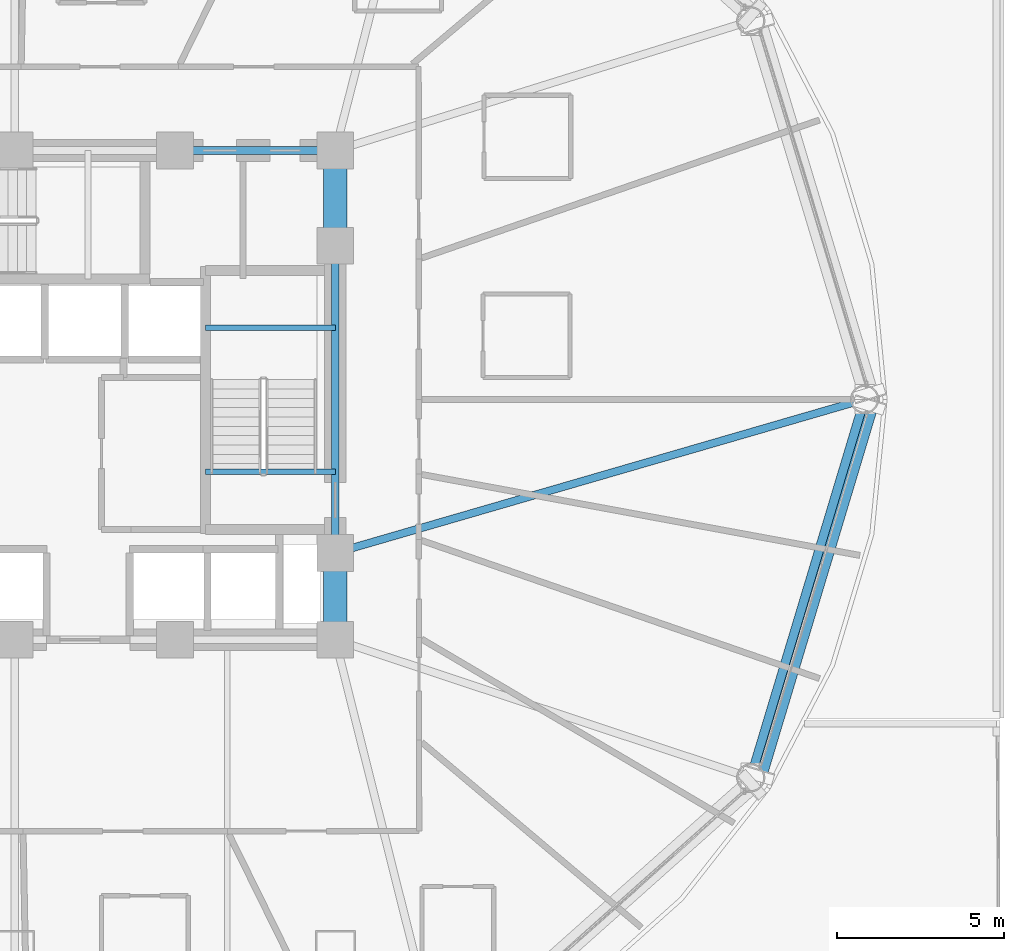
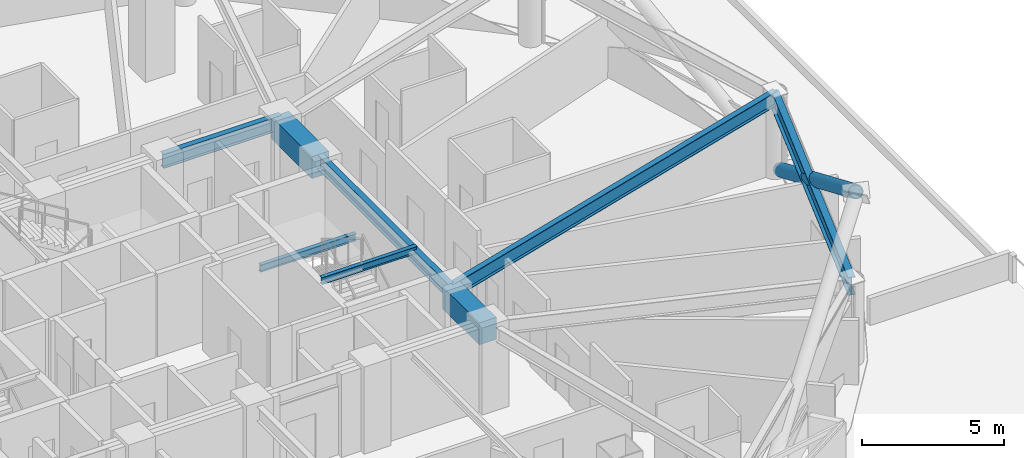
# One storey, part 10 of 27: 8 beams, 1 member.
"""IFC4 building model written with IfcOpenShell, lengths in metres."""

from ifc_helpers import new_model, si_unit, direction, frame, origin, origin_2d, place, context, subcontext, project, spatial, rectangle, hollow_circle, i_section, extrude, material, material_profile, profile_set, type_object, element, save


model = new_model("IFC4")

# Units and contexts
model_context = context("Model", 3, precision=1e-05, world=origin(), true_north=direction((0.0, 1.0)))
body_context = subcontext(model_context, "Body", "Model", "MODEL_VIEW")
ifc_project = project(units=[si_unit("LENGTHUNIT", "METRE"), si_unit("AREAUNIT", "SQUARE_METRE"), si_unit("VOLUMEUNIT", "CUBIC_METRE"), si_unit("PLANEANGLEUNIT", "RADIAN"), si_unit("MASSUNIT", "GRAM", prefix="KILO")], contexts=[model_context])

# Site, building, storey
site_placement = place(None, origin())
site = spatial("IfcSite", under=ifc_project, at=site_placement, CompositionType="ELEMENT")
building_placement = place(site_placement, origin())
building = spatial("IfcBuilding", under=site, at=building_placement, Name="Vantalir Tower", CompositionType="ELEMENT")
storey_placement = place(building_placement, frame((0.0, 0.0, 27.0)))
storey = spatial("IfcBuildingStorey", under=building, at=storey_placement, Name="L05", CompositionType="ELEMENT", Elevation=27.0)

# Beams
ifc_material_1 = material(Name="Concrete C60/75", Category="concrete")
ifc_material_profile_1 = material_profile(ifc_material_1, rectangle(XDim=0.699951171875, YDim=0.949951171875, at=origin_2d()), Name="Concrete C60/75")
ifc_profile_set_1 = profile_set([ifc_material_profile_1], Name="Concrete C60/75")
beam_type_1 = type_object("IfcBeamType", Name="BM-CB-700x950", PredefinedType="USERDEFINED", material=ifc_profile_set_1)
beam_1_placement = place(storey_placement, frame((41.10009765625, 17.800048828125, 3.094970703125), z_axis=(0.0, 1.0, 0.0), x_axis=(-1.0, 0.0, 0.0)))
element("IfcBeam", 1, at=beam_1_placement, inside=storey, type_object=beam_type_1, Name="L05 Core Coupling Girder 05", ObjectType="GIRDER", PredefinedType="USERDEFINED", context=body_context, shape_type="SweptSolid", body=[
    extrude(rectangle(XDim=0.699951171875, YDim=0.949951171875, at=origin_2d()), origin(), (0.0, 0.0, 1.0), 2.599853515625),
])
beam_2_placement = place(storey_placement, frame((41.10009765625, 29.60009765625, 3.094970703125), z_axis=(0.0, 1.0, 0.0), x_axis=(-1.0, 0.0, 0.0)))
element("IfcBeam", 2, at=beam_2_placement, inside=storey, type_object=beam_type_1, Name="L05 Core Coupling Girder 07", ObjectType="GIRDER", PredefinedType="USERDEFINED", context=body_context, shape_type="SweptSolid", body=[
    extrude(rectangle(XDim=0.699951171875, YDim=0.949951171875, at=origin_2d()), origin(), (0.0, 0.0, 1.0), 2.849853515625),
])
ifc_material_2 = material(Name="Steel S355", Category="steel")
ifc_material_profile_2 = material_profile(ifc_material_2, i_section(OverallWidth=0.166015625, OverallDepth=0.306884765625, WebThickness=0.006591796875, FlangeThickness=0.01171875, at=origin_2d()), Name="Steel S355")
ifc_profile_set_2 = profile_set([ifc_material_profile_2], Name="Steel S355")
beam_type_2 = type_object("IfcBeamType", Name="BM-JS-305x165", PredefinedType="JOIST", material=ifc_profile_set_2)
for number, where, z_axis, x_axis, name in (
    (3, (37.2099609375, 22.8349609375, 3.595947265625), (1.0, 0.0, 0.0), (0.0, 1.0, 0.0), "L06 Stair ST2 Well Nosing Trimmer Beam"),
    (4, (37.2099609375, 27.14501953125, 1.52197265625), (1.0, 0.0, 0.0), (0.0, 1.0, 0.0), "L05 Stair ST2 Half-Landing Support Beam"),
):
    element("IfcBeam", number, at=place(storey_placement, frame(where, z_axis=z_axis, x_axis=x_axis)), inside=storey, type_object=beam_type_2, Name=name, PredefinedType="JOIST", context=body_context, shape_type="SweptSolid", body=[
        extrude(i_section(OverallWidth=0.166015625, OverallDepth=0.306884765625, WebThickness=0.006591796875, FlangeThickness=0.01171875, at=origin_2d()), origin(), (0.0, 0.0, 1.0), 3.89013671875),
    ])
ifc_material_profile_3 = material_profile(ifc_material_2, i_section(OverallWidth=0.22998046875, OverallDepth=0.616943359375, WebThickness=0.01318359375, FlangeThickness=0.022216796875, at=origin_2d()), Name="Steel S355")
ifc_profile_set_3 = profile_set([ifc_material_profile_3], Name="Steel S355")
beam_type_3 = type_object("IfcBeamType", Name="BM-RB-610x229", PredefinedType="BEAM", material=ifc_profile_set_3)
beam_3_placement = place(storey_placement, frame((41.10009765625, 20.39990234375, 3.261962890625), z_axis=(0.0, 1.0, 0.0), x_axis=(-1.0, 0.0, 0.0)))
element("IfcBeam", 5, at=beam_3_placement, inside=storey, type_object=beam_type_3, Name="L05 Core Coupling Girder 06", PredefinedType="BEAM", context=body_context, shape_type="SweptSolid", body=[
    extrude(i_section(OverallWidth=0.22998046875, OverallDepth=0.616943359375, WebThickness=0.01318359375, FlangeThickness=0.022216796875, at=origin_2d()), origin(), (0.0, 0.0, 1.0), 9.2001953125),
])
beam_4_placement = place(storey_placement, frame((41.10009765625, 32.449951171875, 3.261962890625), z_axis=(-1.0, 0.0, 0.0), x_axis=(0.0, -1.0, 0.0)))
element("IfcBeam", 6, at=beam_4_placement, inside=storey, type_object=beam_type_3, Name="L05 Core Coupling Girder 08", PredefinedType="BEAM", context=body_context, shape_type="SweptSolid", body=[
    extrude(i_section(OverallWidth=0.22998046875, OverallDepth=0.616943359375, WebThickness=0.01318359375, FlangeThickness=0.022216796875, at=origin_2d()), origin(), (0.0, 0.0, 1.0), 4.800048828125),
])
beam_5_placement = place(storey_placement, frame((56.949951171875, 25.0, 3.261962890625), z_axis=(-0.960370116181, -0.27872789589, 0.0), x_axis=(0.27872789589, -0.960370116181, 0.0)))
element("IfcBeam", 7, at=beam_5_placement, inside=storey, type_object=beam_type_3, Name="L05 Radial Floor Beam 01", PredefinedType="BEAM", context=body_context, shape_type="SweptSolid", body=[
    extrude(i_section(OverallWidth=0.22998046875, OverallDepth=0.616943359375, WebThickness=0.01318359375, FlangeThickness=0.022216796875, at=origin_2d()), origin(), (0.0, 0.0, 1.0), 16.50390625),
])
ifc_material_3 = material(Name="Steel S460", Category="steel")
ifc_material_profile_4 = material_profile(ifc_material_3, i_section(OverallWidth=0.26806640625, OverallDepth=0.77001953125, WebThickness=0.015625, FlangeThickness=0.025390625, at=origin_2d()), Name="Steel S460")
ifc_profile_set_4 = profile_set([ifc_material_profile_4], Name="Steel S460")
beam_type_4 = type_object("IfcBeamType", Name="BM-RG-762x267", PredefinedType="USERDEFINED", material=ifc_profile_set_4)
beam_6_placement = place(storey_placement, frame((53.5400390625, 13.66796875, 3.18505859375), z_axis=(0.288146508643, 0.957586335302, 0.0), x_axis=(-0.957586335302, 0.288146508643, 0.0)))
element("IfcBeam", 8, at=beam_6_placement, inside=storey, type_object=beam_type_4, Name="L05 Circumferential Ring Girder 12", ObjectType="GIRDER", PredefinedType="USERDEFINED", context=body_context, shape_type="SweptSolid", body=[
    extrude(i_section(OverallWidth=0.26806640625, OverallDepth=0.77001953125, WebThickness=0.015625, FlangeThickness=0.025390625, at=origin_2d()), origin(), (0.0, 0.0, 1.0), 11.833984375),
])

# Member
ifc_material_profile_5 = material_profile(ifc_material_3, hollow_circle(Radius=0.27001953125, WallThickness=0.044921875, at=origin_2d()), Name="Steel S460")
ifc_profile_set_5 = profile_set([ifc_material_profile_5], Name="Steel S460")
member_type = type_object("IfcMemberType", Name="MEM-DB-540x45", PredefinedType="BRACE", material=ifc_profile_set_5)
member_placement = place(storey_placement, frame((57.0859375, 24.819091796875, 0.193115234375), z_axis=(-0.246888376659, -0.821143457496, 0.514557627173), x_axis=(0.957651062423, -0.287931315836, 0.0)))
element("IfcMember", 9, at=member_placement, inside=storey, type_object=member_type, Name="L05 Perimeter S460 Diagrid Brace R01R", PredefinedType="BRACE", context=body_context, shape_type="SweptSolid", body=[
    extrude(hollow_circle(Radius=0.27001953125, WallThickness=0.044921875, at=origin_2d()), origin(), (0.0, 0.0, 1.0), 13.475341796875),
])

save(model, "model.ifc")
